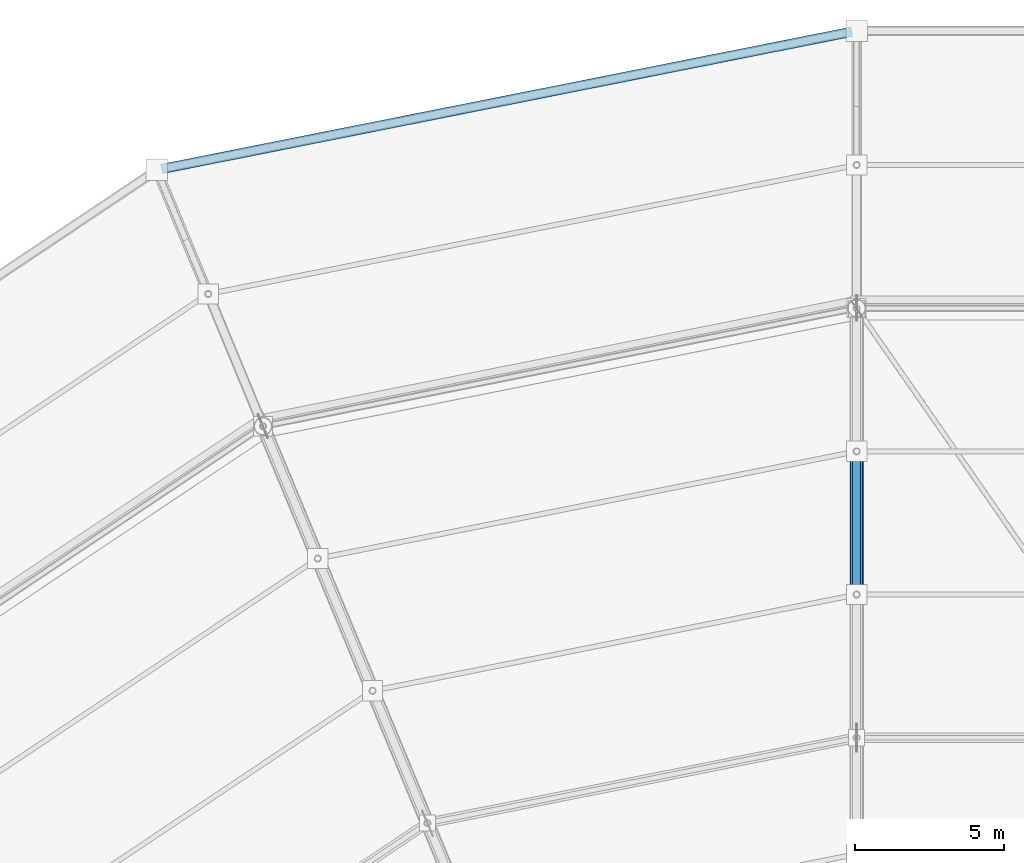
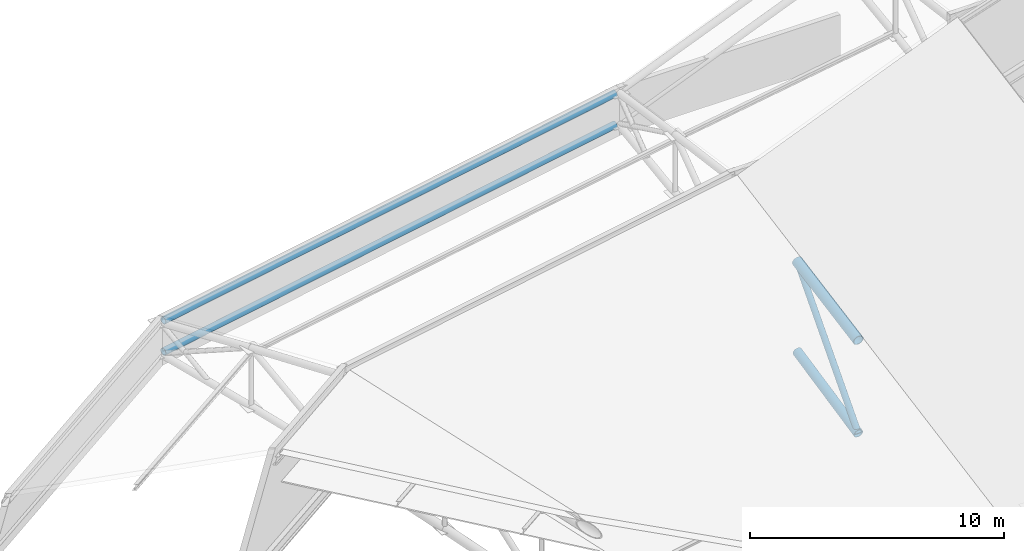
# One storey, part 90 of 146: 5 members.
"""IFC4 building model written with IfcOpenShell, lengths in metres."""

from ifc_helpers import new_model, si_unit, direction, frame, origin, origin_2d, place, context, subcontext, project, spatial, hollow_circle, extrude, material, material_profile, profile_set, type_object, element, save


model = new_model("IFC4")

# Units and contexts
model_context = context("Model", 3, precision=1e-05, world=origin(), true_north=direction((0.0, 1.0)))
body_context = subcontext(model_context, "Body", "Model", "MODEL_VIEW")
ifc_project = project(units=[si_unit("LENGTHUNIT", "METRE"), si_unit("AREAUNIT", "SQUARE_METRE"), si_unit("VOLUMEUNIT", "CUBIC_METRE"), si_unit("PLANEANGLEUNIT", "RADIAN"), si_unit("MASSUNIT", "GRAM", prefix="KILO")], contexts=[model_context])

# Site, building, storey
site_placement = place(None, origin())
site = spatial("IfcSite", under=ifc_project, at=site_placement, CompositionType="ELEMENT")
building_placement = place(site_placement, origin())
building = spatial("IfcBuilding", under=site, at=building_placement, Name="Candeia Ridge Stadium", CompositionType="ELEMENT")
storey_placement = place(building_placement, frame((0.0, 0.0, 31.800048828125)))
storey = spatial("IfcBuildingStorey", under=building, at=storey_placement, Name="RF", CompositionType="ELEMENT", Elevation=31.800048828125)

# Members
ifc_material = material(Name="Steel ASTM A572 Grade 50", Category="steel")
ifc_material_profile_1 = material_profile(ifc_material, hollow_circle(Radius=0.161865234375, WallThickness=0.012451171875, at=origin_2d()), Name="CHS323x12", Category="steel")
ifc_profile_set_1 = profile_set([ifc_material_profile_1], Name="Steel ASTM A572 Grade 50")
member_type_1 = type_object("IfcMemberType", Name="Roof Truss Eaves Chord CHS323x12", PredefinedType="CHORD", material=ifc_profile_set_1)
for number, where, z_axis, x_axis, name in (
    (1, (70.843017578125, 156.268798828125, 3.281005859375), (-0.980785067453, -0.195091392584, 0.0), (0.195091392584, -0.980785067453, 0.0), "Saddle roof outer eaves top ring chord bay 08"),
    (2, (70.843017578125, 156.268798828125, 1.781005859375), (-0.980785067453, -0.195091392584, 0.0), (0.195091392584, -0.980785067453, 0.0), "Saddle roof outer eaves bottom ring chord bay 08"),
):
    element("IfcMember", number, at=place(storey_placement, frame(where, z_axis=z_axis, x_axis=x_axis)), inside=storey, type_object=member_type_1, Name=name, PredefinedType="CHORD", context=body_context, shape_type="SweptSolid", body=[
        extrude(hollow_circle(Radius=0.161865234375, WallThickness=0.012451171875, at=origin_2d()), origin(), (0.0, 0.0, 1.0), 23.597900390625),
    ])
ifc_material_profile_2 = material_profile(ifc_material, hollow_circle(Radius=0.136474609375, WallThickness=0.010009765625, at=origin_2d()), Name="CHS273x10", Category="steel")
ifc_profile_set_2 = profile_set([ifc_material_profile_2], Name="Steel ASTM A572 Grade 50")
member_type_2 = type_object("IfcMemberType", Name="Roof Truss Heavy Web Brace CHS273x10", PredefinedType="BRACE", material=ifc_profile_set_2)
member_1_placement = place(storey_placement, frame((71.0, 137.39990234375, -1.642822265625), z_axis=(0.0, 0.667487252066, 0.744621224737), x_axis=(-1.0, 0.0, 0.0)))
element("IfcMember", 3, at=member_1_placement, inside=storey, type_object=member_type_2, Name="Roof cantilever truss RT-08 diagonal web 5", PredefinedType="BRACE", context=body_context, shape_type="SweptSolid", body=[
    extrude(hollow_circle(Radius=0.136474609375, WallThickness=0.010009765625, at=origin_2d()), origin(), (0.0, 0.0, 1.0), 7.191162109375),
])
ifc_material_profile_3 = material_profile(ifc_material, hollow_circle(Radius=0.228515625, WallThickness=0.02001953125, at=origin_2d()), Name="CHS457x20", Category="steel")
ifc_profile_set_3 = profile_set([ifc_material_profile_3], Name="Steel ASTM A572 Grade 50")
member_type_3 = type_object("IfcMemberType", Name="Roof Truss Main Chord CHS457x20", PredefinedType="CHORD", material=ifc_profile_set_3)
member_2_placement = place(storey_placement, frame((71.0, 137.39990234375, 2.823974609375), z_axis=(0.0, 0.983317142098, 0.181899417416), x_axis=(-1.0, 0.0, 0.0)))
element("IfcMember", 4, at=member_2_placement, inside=storey, type_object=member_type_3, Name="Roof cantilever truss RT-08 top chord 5", PredefinedType="CHORD", context=body_context, shape_type="SweptSolid", body=[
    extrude(hollow_circle(Radius=0.228515625, WallThickness=0.02001953125, at=origin_2d()), origin(), (0.0, 0.0, 1.0), 4.881591796875),
])
ifc_material_profile_4 = material_profile(ifc_material, hollow_circle(Radius=0.202880859375, WallThickness=0.01611328125, at=origin_2d()), Name="CHS406x16", Category="steel")
ifc_profile_set_4 = profile_set([ifc_material_profile_4], Name="Steel ASTM A572 Grade 50")
member_type_4 = type_object("IfcMemberType", Name="Roof Truss Outer Chord CHS406x16", PredefinedType="CHORD", material=ifc_profile_set_4)
member_3_placement = place(storey_placement, frame((71.0, 137.39990234375, -1.642822265625), z_axis=(0.0, 0.978097741011, 0.208146124225), x_axis=(-1.0, 0.0, 0.0)))
element("IfcMember", 5, at=member_3_placement, inside=storey, type_object=member_type_4, Name="Roof cantilever truss RT-08 bottom chord 5", PredefinedType="CHORD", context=body_context, shape_type="SweptSolid", body=[
    extrude(hollow_circle(Radius=0.202880859375, WallThickness=0.01611328125, at=origin_2d()), origin(), (0.0, 0.0, 1.0), 4.907470703125),
])

save(model, "model.ifc")
